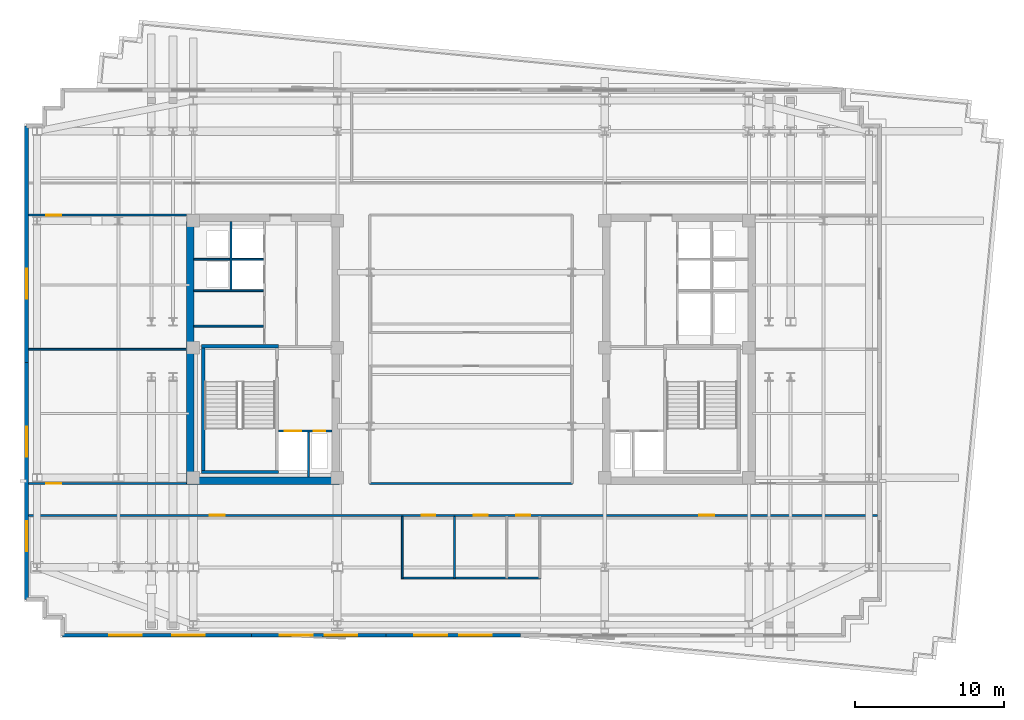
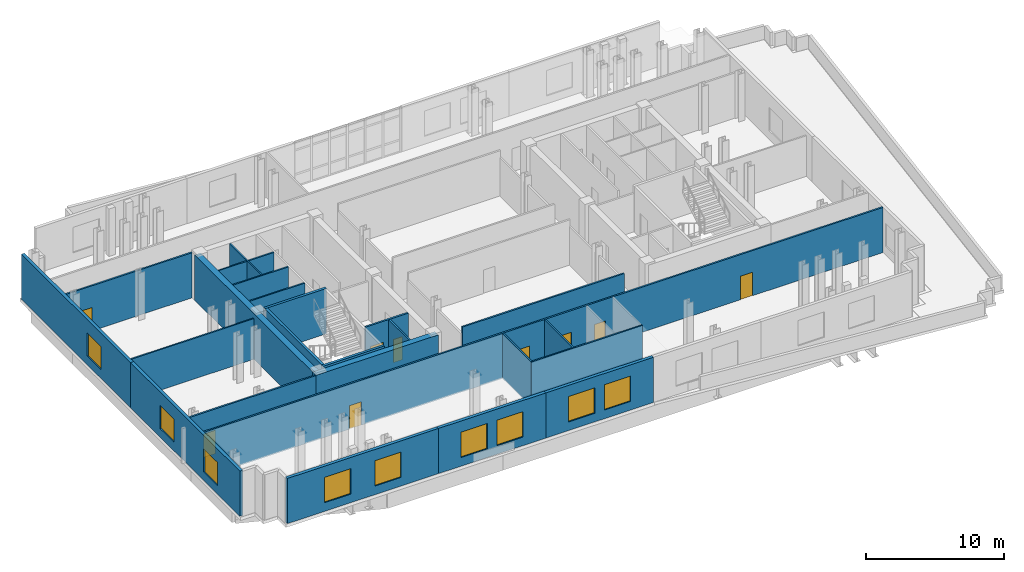
# One storey, part 5 of 11: 25 walls, 9 doors, 9 windows, 18 openings.
"""IFC4 building model written with IfcOpenShell, lengths in metres."""

from ifc_helpers import new_model, si_unit, direction, frame, frame_2d, origin, place, context, subcontext, project, spatial, rectangle, extrude, material, layer, layer_set, type_object, element, fill, save


model = new_model("IFC4")

# Units and contexts
model_context = context("Model", 3, precision=1e-05, world=origin(), true_north=direction((0.0, 1.0)))
body_context = subcontext(model_context, "Body", "Model", "MODEL_VIEW")
ifc_project = project(units=[si_unit("LENGTHUNIT", "METRE"), si_unit("AREAUNIT", "SQUARE_METRE"), si_unit("VOLUMEUNIT", "CUBIC_METRE"), si_unit("PLANEANGLEUNIT", "RADIAN"), si_unit("MASSUNIT", "GRAM", prefix="KILO")], contexts=[model_context])

# Site, building, storey
site_placement = place(None, origin())
site = spatial("IfcSite", under=ifc_project, at=site_placement, CompositionType="ELEMENT")
building_placement = place(site_placement, origin())
building = spatial("IfcBuilding", under=site, at=building_placement, Name="Velakula Bourse", CompositionType="ELEMENT")
storey_placement = place(building_placement, frame((0.0, 0.0, 204.300048828125)))
storey = spatial("IfcBuildingStorey", under=building, at=storey_placement, Name="L55", CompositionType="ELEMENT", Elevation=204.300048828125)

# Walls
ifc_material_1 = material(Name="Concrete M50 (fck 50 MPa)", Category="concrete")
ifc_layer_1 = layer(ifc_material_1, 0.2099609375, Name="Concrete M50 (fck 50 MPa)", Category="concrete")
ifc_layer_set_1 = layer_set([ifc_layer_1], Name="Concrete M50 (fck 50 MPa)")
wall_type_1 = type_object("IfcWallType", Name="WL-CORE-210", PredefinedType="SHEAR", material=ifc_layer_set_1)
wall_1_placement = place(storey_placement, frame((-17.925048828125, -8.10009765625, 0.0), z_axis=(0.0, 0.0, 1.0), x_axis=(0.0, 1.0, 0.0)))
element("IfcWall", 1, at=wall_1_placement, inside=storey, type_object=wall_type_1, Name="L55 Core W Stairwell Shear Wall OUT", PredefinedType="SHEAR", context=body_context, shape_type="SweptSolid", body=[
    extrude(rectangle(XDim=8.2001953125, YDim=0.2099609375, at=frame_2d((4.10009765625, 0.0))), origin(), (0.0, 0.0, 1.0), 4.02001953125),
])
for number, where, z_axis, x_axis, name in (
    (2, (-18.030029296875, -8.205078125, 0.0), (0.0, 0.0, 1.0), (1.0, 0.0, 0.0), "L55 Core W Stairwell Shear Wall S"),
    (3, (-12.889892578125, 0.205078125, 0.0), (0.0, 0.0, 1.0), (-1.0, 0.0, 0.0), "L55 Core W Stairwell Shear Wall N"),
):
    element("IfcWall", number, at=place(storey_placement, frame(where, z_axis=z_axis, x_axis=x_axis)), inside=storey, type_object=wall_type_1, Name=name, PredefinedType="SHEAR", context=body_context, shape_type="SweptSolid", body=[
        extrude(rectangle(XDim=5.14013671875, YDim=0.2099609375, at=frame_2d((2.570068359375, 0.0))), origin(), (0.0, 0.0, 1.0), 4.02001953125),
    ])
ifc_layer_2 = layer(ifc_material_1, 0.5, Name="Concrete M50 (fck 50 MPa)", Category="concrete")
ifc_layer_set_2 = layer_set([ifc_layer_2], Name="Concrete M50 (fck 50 MPa)")
wall_type_2 = type_object("IfcWallType", Name="WL-CORE-500", PredefinedType="SHEAR", material=ifc_layer_set_2)
wall_2_placement = place(storey_placement, frame((-19.050048828125, -8.800048828125, 0.0), z_axis=(0.0, 0.0, 1.0), x_axis=(1.0, 0.0, 0.0)))
element("IfcWall", 4, at=wall_2_placement, inside=storey, type_object=wall_type_2, Name="L55 Core W Shear Wall S", PredefinedType="SHEAR", context=body_context, shape_type="SweptSolid", body=[
    extrude(rectangle(XDim=10.25, YDim=0.5, at=frame_2d((5.125, 0.0))), origin(), (0.0, 0.0, 1.0), 4.02001953125),
])
wall_3_placement = place(storey_placement, frame((-18.800048828125, -8.550048828125, 0.0), z_axis=(0.0, 0.0, 1.0), x_axis=(0.0, 1.0, 0.0)))
element("IfcWall", 5, at=wall_3_placement, inside=storey, type_object=wall_type_2, Name="L55 Core W Shear Wall W", PredefinedType="SHEAR", context=body_context, shape_type="SweptSolid", body=[
    extrude(rectangle(XDim=17.10009765625, YDim=0.5, at=frame_2d((8.550048828125, 0.0))), origin(), (0.0, 0.0, 1.0), 4.02001953125),
])

# Wall, openings, windows
ifc_material_2 = material(Name="Buff kilned clay facing brick masonry", Category="masonry")
ifc_layer_3 = layer(ifc_material_2, 0.260009765625, Name="Buff kilned clay facing brick masonry", Category="masonry")
ifc_layer_set_3 = layer_set([ifc_layer_3], Name="Buff kilned clay facing brick masonry")
wall_type_3 = type_object("IfcWallType", Name="WL-EXT-BRK-260", PredefinedType="STANDARD", material=ifc_layer_set_3)
wall_4_placement = place(storey_placement, frame((-14.699951171875, -19.14990234375, 0.0), z_axis=(0.0, 0.0, 1.0), x_axis=(-1.0, 0.0, 0.0)))
wall_4 = element("IfcWall", 6, at=wall_4_placement, inside=storey, type_object=wall_type_3, Name="L55 S Brick Spandrel Wall B1", PredefinedType="STANDARD", context=body_context, shape_type="SweptSolid", body=[
    extrude(rectangle(XDim=12.650146484375, YDim=0.260009765625, at=frame_2d((6.3251953125, 0.0))), origin(), (0.0, 0.0, 1.0), 4.0),
])
opening_1_placement = place(wall_4_placement, frame((3.11669921875, 0.0, 0.760009765625)))
opening_1 = element("IfcOpeningElement", 7, at=opening_1_placement, cuts=wall_4, Name="Opening W-08", PredefinedType="OPENING", context=body_context, shape_type="SweptSolid", body=[
    extrude(rectangle(XDim=2.199951171875, YDim=2.25, at=frame_2d((1.10009765625, 1.125))), frame((0.0, 0.139892578125, 0.0), z_axis=(0.0, -1.0, 0.0), x_axis=(1.0, 0.0, 0.0)), (0.0, 0.0, 1.0), 0.280029296875),
])
opening_2_placement = place(wall_4_placement, frame((7.333251953125, 0.0, 0.760009765625)))
opening_2 = element("IfcOpeningElement", 8, at=opening_2_placement, cuts=wall_4, Name="Opening W-08", PredefinedType="OPENING", context=body_context, shape_type="SweptSolid", body=[
    extrude(rectangle(XDim=2.199951171875, YDim=2.25, at=frame_2d((1.10009765625, 1.125))), frame((0.0, 0.139892578125, 0.0), z_axis=(0.0, -1.0, 0.0), x_axis=(1.0, 0.0, 0.0)), (0.0, 0.0, 1.0), 0.280029296875),
])
ifc_material_3 = material(Name="Double-glazed solar-control Low-E glass", Category="glass")
window_type_1 = type_object("IfcWindowType", Name="WIN-SL-2200x2500", PartitioningType="DOUBLE_PANEL_VERTICAL", PredefinedType="WINDOW", material=ifc_material_3)
window_1_placement = place(opening_1_placement, origin())
window_1 = element("IfcWindow", 9, at=window_1_placement, inside=storey, type_object=window_type_1, Name="L55 Deep-Set Recessed Window 1", OverallHeight=2.25, OverallWidth=2.199951171875, PartitioningType="DOUBLE_PANEL_VERTICAL", PredefinedType="WINDOW", context=body_context, shape_type="SweptSolid", body=[
    extrude(rectangle(XDim=2.199951171875, YDim=2.25, at=frame_2d((1.10009765625, 1.125))), frame((0.0, 0.030029296875, 0.0), z_axis=(0.0, -1.0, 0.0), x_axis=(1.0, 0.0, 0.0)), (0.0, 0.0, 1.0), 0.06005859375),
])
fill(opening_1, window_1)
window_2_placement = place(opening_2_placement, origin())
window_2 = element("IfcWindow", 10, at=window_2_placement, inside=storey, type_object=window_type_1, Name="L55 Deep-Set Recessed Window 2", OverallHeight=2.25, OverallWidth=2.199951171875, PartitioningType="DOUBLE_PANEL_VERTICAL", PredefinedType="WINDOW", context=body_context, shape_type="SweptSolid", body=[
    extrude(rectangle(XDim=2.199951171875, YDim=2.25, at=frame_2d((1.10009765625, 1.125))), frame((0.0, 0.030029296875, 0.0), z_axis=(0.0, -1.0, 0.0), x_axis=(1.0, 0.0, 0.0)), (0.0, 0.0, 1.0), 0.06005859375),
])
fill(opening_2, window_2)

wall_5_placement = place(storey_placement, frame((-5.699951171875, -19.14990234375, 0.0), z_axis=(0.0, 0.0, 1.0), x_axis=(-1.0, 0.0, 0.0)))
wall_5 = element("IfcWall", 11, at=wall_5_placement, inside=storey, type_object=wall_type_3, Name="L55 S Brick Spandrel Wall B2", PredefinedType="STANDARD", context=body_context, shape_type="SweptSolid", body=[
    extrude(rectangle(XDim=9.0, YDim=0.260009765625, at=frame_2d((4.5, 0.0))), origin(), (0.0, 0.0, 1.0), 4.0),
])
opening_3_placement = place(wall_5_placement, frame((1.89990234375, 0.0, 0.760009765625)))
opening_3 = element("IfcOpeningElement", 12, at=opening_3_placement, cuts=wall_5, Name="Opening W-08", PredefinedType="OPENING", context=body_context, shape_type="SweptSolid", body=[
    extrude(rectangle(XDim=2.199951171875, YDim=2.25, at=frame_2d((1.10009765625, 1.125))), frame((0.0, 0.139892578125, 0.0), z_axis=(0.0, -1.0, 0.0), x_axis=(1.0, 0.0, 0.0)), (0.0, 0.0, 1.0), 0.280029296875),
])
opening_4_placement = place(wall_5_placement, frame((4.89990234375, 0.0, 0.760009765625)))
opening_4 = element("IfcOpeningElement", 13, at=opening_4_placement, cuts=wall_5, Name="Opening W-08", PredefinedType="OPENING", context=body_context, shape_type="SweptSolid", body=[
    extrude(rectangle(XDim=2.199951171875, YDim=2.25, at=frame_2d((1.10009765625, 1.125))), frame((0.0, 0.139892578125, 0.0), z_axis=(0.0, -1.0, 0.0), x_axis=(1.0, 0.0, 0.0)), (0.0, 0.0, 1.0), 0.280029296875),
])
window_3_placement = place(opening_3_placement, origin())
window_3 = element("IfcWindow", 14, at=window_3_placement, inside=storey, type_object=window_type_1, Name="L55 Deep-Set Recessed Window 1", OverallHeight=2.25, OverallWidth=2.199951171875, PartitioningType="DOUBLE_PANEL_VERTICAL", PredefinedType="WINDOW", context=body_context, shape_type="SweptSolid", body=[
    extrude(rectangle(XDim=2.199951171875, YDim=2.25, at=frame_2d((1.10009765625, 1.125))), frame((0.0, 0.030029296875, 0.0), z_axis=(0.0, -1.0, 0.0), x_axis=(1.0, 0.0, 0.0)), (0.0, 0.0, 1.0), 0.06005859375),
])
fill(opening_3, window_3)
window_4_placement = place(opening_4_placement, origin())
window_4 = element("IfcWindow", 15, at=window_4_placement, inside=storey, type_object=window_type_1, Name="L55 Deep-Set Recessed Window 2", OverallHeight=2.25, OverallWidth=2.199951171875, PartitioningType="DOUBLE_PANEL_VERTICAL", PredefinedType="WINDOW", context=body_context, shape_type="SweptSolid", body=[
    extrude(rectangle(XDim=2.199951171875, YDim=2.25, at=frame_2d((1.10009765625, 1.125))), frame((0.0, 0.030029296875, 0.0), z_axis=(0.0, -1.0, 0.0), x_axis=(1.0, 0.0, 0.0)), (0.0, 0.0, 1.0), 0.06005859375),
])
fill(opening_4, window_4)

wall_6_placement = place(storey_placement, frame((3.300048828125, -19.14990234375, 0.0), z_axis=(0.0, 0.0, 1.0), x_axis=(-1.0, 0.0, 0.0)))
wall_6 = element("IfcWall", 16, at=wall_6_placement, inside=storey, type_object=wall_type_3, Name="L55 S Brick Spandrel Wall B3", PredefinedType="STANDARD", context=body_context, shape_type="SweptSolid", body=[
    extrude(rectangle(XDim=9.0, YDim=0.260009765625, at=frame_2d((4.5, 0.0))), origin(), (0.0, 0.0, 1.0), 4.0),
])
opening_5_placement = place(wall_6_placement, frame((1.89990234375, 0.0, 0.760009765625)))
opening_5 = element("IfcOpeningElement", 17, at=opening_5_placement, cuts=wall_6, Name="Opening W-08", PredefinedType="OPENING", context=body_context, shape_type="SweptSolid", body=[
    extrude(rectangle(XDim=2.199951171875, YDim=2.25, at=frame_2d((1.10009765625, 1.125))), frame((0.0, 0.139892578125, 0.0), z_axis=(0.0, -1.0, 0.0), x_axis=(1.0, 0.0, 0.0)), (0.0, 0.0, 1.0), 0.280029296875),
])
opening_6_placement = place(wall_6_placement, frame((4.89990234375, 0.0, 0.760009765625)))
opening_6 = element("IfcOpeningElement", 18, at=opening_6_placement, cuts=wall_6, Name="Opening W-08", PredefinedType="OPENING", context=body_context, shape_type="SweptSolid", body=[
    extrude(rectangle(XDim=2.199951171875, YDim=2.25, at=frame_2d((1.10009765625, 1.125))), frame((0.0, 0.139892578125, 0.0), z_axis=(0.0, -1.0, 0.0), x_axis=(1.0, 0.0, 0.0)), (0.0, 0.0, 1.0), 0.280029296875),
])
window_5_placement = place(opening_5_placement, origin())
window_5 = element("IfcWindow", 19, at=window_5_placement, inside=storey, type_object=window_type_1, Name="L55 Deep-Set Recessed Window 1", OverallHeight=2.25, OverallWidth=2.199951171875, PartitioningType="DOUBLE_PANEL_VERTICAL", PredefinedType="WINDOW", context=body_context, shape_type="SweptSolid", body=[
    extrude(rectangle(XDim=2.199951171875, YDim=2.25, at=frame_2d((1.10009765625, 1.125))), frame((0.0, 0.030029296875, 0.0), z_axis=(0.0, -1.0, 0.0), x_axis=(1.0, 0.0, 0.0)), (0.0, 0.0, 1.0), 0.06005859375),
])
fill(opening_5, window_5)
window_6_placement = place(opening_6_placement, origin())
window_6 = element("IfcWindow", 20, at=window_6_placement, inside=storey, type_object=window_type_1, Name="L55 Deep-Set Recessed Window 2", OverallHeight=2.25, OverallWidth=2.199951171875, PartitioningType="DOUBLE_PANEL_VERTICAL", PredefinedType="WINDOW", context=body_context, shape_type="SweptSolid", body=[
    extrude(rectangle(XDim=2.199951171875, YDim=2.25, at=frame_2d((1.10009765625, 1.125))), frame((0.0, 0.030029296875, 0.0), z_axis=(0.0, -1.0, 0.0), x_axis=(1.0, 0.0, 0.0)), (0.0, 0.0, 1.0), 0.06005859375),
])
fill(opening_6, window_6)

wall_7_placement = place(storey_placement, frame((-29.75, -16.75, 0.0), z_axis=(0.0, 0.0, 1.0), x_axis=(0.0, 1.0, 0.0)))
wall_7 = element("IfcWall", 21, at=wall_7_placement, inside=storey, type_object=wall_type_3, Name="L55 W Brick End Wall W1", PredefinedType="STANDARD", context=body_context, shape_type="SweptSolid", body=[
    extrude(rectangle(XDim=15.85009765625, YDim=0.260009765625, at=frame_2d((7.925048828125, 0.0))), origin(), (0.0, 0.0, 1.0), 4.0),
])
opening_7_placement = place(wall_7_placement, frame((3.2333984375, 0.0, 0.760009765625)))
opening_7 = element("IfcOpeningElement", 22, at=opening_7_placement, cuts=wall_7, Name="Opening W-05", PredefinedType="OPENING", context=body_context, shape_type="SweptSolid", body=[
    extrude(rectangle(XDim=2.0, YDim=2.050048828125, at=frame_2d((1.0, 1.02490234375))), frame((0.0, 0.139892578125, 0.0), z_axis=(0.0, -1.0, 0.0), x_axis=(1.0, 0.0, 0.0)), (0.0, 0.0, 1.0), 0.280029296875),
])
opening_8_placement = place(wall_7_placement, frame((9.566650390625, 0.0, 0.760009765625)))
opening_8 = element("IfcOpeningElement", 23, at=opening_8_placement, cuts=wall_7, Name="Opening W-05", PredefinedType="OPENING", context=body_context, shape_type="SweptSolid", body=[
    extrude(rectangle(XDim=2.0, YDim=2.050048828125, at=frame_2d((1.0, 1.02490234375))), frame((0.0, 0.139892578125, 0.0), z_axis=(0.0, -1.0, 0.0), x_axis=(1.0, 0.0, 0.0)), (0.0, 0.0, 1.0), 0.280029296875),
])
window_type_2 = type_object("IfcWindowType", Name="WIN-TWR-2000x2200", PartitioningType="DOUBLE_PANEL_VERTICAL", PredefinedType="WINDOW", material=ifc_material_3)
window_7_placement = place(opening_7_placement, origin())
window_7 = element("IfcWindow", 24, at=window_7_placement, inside=storey, type_object=window_type_2, Name="L55 Deep-Set Recessed Window 1", OverallHeight=2.050048828125, OverallWidth=2.0, PartitioningType="DOUBLE_PANEL_VERTICAL", PredefinedType="WINDOW", context=body_context, shape_type="SweptSolid", body=[
    extrude(rectangle(XDim=2.0, YDim=2.050048828125, at=frame_2d((1.0, 1.02490234375))), frame((0.0, 0.030029296875, 0.0), z_axis=(0.0, -1.0, 0.0), x_axis=(1.0, 0.0, 0.0)), (0.0, 0.0, 1.0), 0.06005859375),
])
fill(opening_7, window_7)
window_8_placement = place(opening_8_placement, origin())
window_8 = element("IfcWindow", 25, at=window_8_placement, inside=storey, type_object=window_type_2, Name="L55 Deep-Set Recessed Window 2", OverallHeight=2.050048828125, OverallWidth=2.0, PartitioningType="DOUBLE_PANEL_VERTICAL", PredefinedType="WINDOW", context=body_context, shape_type="SweptSolid", body=[
    extrude(rectangle(XDim=2.0, YDim=2.050048828125, at=frame_2d((1.0, 1.02490234375))), frame((0.0, 0.030029296875, 0.0), z_axis=(0.0, -1.0, 0.0), x_axis=(1.0, 0.0, 0.0)), (0.0, 0.0, 1.0), 0.06005859375),
])
fill(opening_8, window_8)

# Wall, opening, window
wall_8_placement = place(storey_placement, frame((-29.75, -0.89990234375, 0.0), z_axis=(0.0, 0.0, 1.0), x_axis=(0.0, 1.0, 0.0)))
wall_8 = element("IfcWall", 26, at=wall_8_placement, inside=storey, type_object=wall_type_3, Name="L55 W Brick End Wall W2", PredefinedType="STANDARD", context=body_context, shape_type="SweptSolid", body=[
    extrude(rectangle(XDim=15.849853515625, YDim=0.260009765625, at=frame_2d((7.9248046875, 0.0))), origin(), (0.0, 0.0, 1.0), 4.0),
])
opening_9_placement = place(wall_8_placement, frame((4.283203125, 0.0, 0.760009765625)))
opening_9 = element("IfcOpeningElement", 27, at=opening_9_placement, cuts=wall_8, Name="Opening W-05", PredefinedType="OPENING", context=body_context, shape_type="SweptSolid", body=[
    extrude(rectangle(XDim=2.0, YDim=2.050048828125, at=frame_2d((1.0, 1.02490234375))), frame((0.0, 0.139892578125, 0.0), z_axis=(0.0, -1.0, 0.0), x_axis=(1.0, 0.0, 0.0)), (0.0, 0.0, 1.0), 0.280029296875),
])
window_9_placement = place(opening_9_placement, origin())
window_9 = element("IfcWindow", 28, at=window_9_placement, inside=storey, type_object=window_type_2, Name="L55 Deep-Set Recessed Window 1", OverallHeight=2.050048828125, OverallWidth=2.0, PartitioningType="DOUBLE_PANEL_VERTICAL", PredefinedType="WINDOW", context=body_context, shape_type="SweptSolid", body=[
    extrude(rectangle(XDim=2.0, YDim=2.050048828125, at=frame_2d((1.0, 1.02490234375))), frame((0.0, 0.030029296875, 0.0), z_axis=(0.0, -1.0, 0.0), x_axis=(1.0, 0.0, 0.0)), (0.0, 0.0, 1.0), 0.06005859375),
])
fill(opening_9, window_9)

# Walls
ifc_material_4 = material(Name="Fire-rated double-layer gypsum drywall partition", Category="gypsum")
ifc_layer_4 = layer(ifc_material_4, 0.1201171875, Name="Fire-rated double-layer gypsum drywall partition", Category="gypsum")
ifc_layer_set_4 = layer_set([ifc_layer_4], Name="Fire-rated double-layer gypsum drywall partition")
wall_type_4 = type_object("IfcWallType", Name="WL-PART-120", PredefinedType="STANDARD", material=ifc_layer_set_4)
wall_9_placement = place(storey_placement, frame((-18.550048828125, 3.919921875, 0.0), z_axis=(0.0, 0.0, 1.0), x_axis=(1.0, 0.0, 0.0)))
element("IfcWall", 29, at=wall_9_placement, inside=storey, type_object=wall_type_4, Name="L55 Interior Partition WL-CRW-L55-HI-S", PredefinedType="STANDARD", context=body_context, shape_type="SweptSolid", body=[
    extrude(rectangle(XDim=4.650146484375, YDim=0.1201171875, at=frame_2d((2.3251953125, 0.0))), origin(), (0.0, 0.0, 1.0), 4.0),
])
wall_10_placement = place(storey_placement, frame((-18.550048828125, 6.030029296875, 0.0), z_axis=(0.0, 0.0, 1.0), x_axis=(1.0, 0.0, 0.0)))
element("IfcWall", 30, at=wall_10_placement, inside=storey, type_object=wall_type_4, Name="L55 Interior Partition WL-CRW-L55-RIS-MID", PredefinedType="STANDARD", context=body_context, shape_type="SweptSolid", body=[
    extrude(rectangle(XDim=2.400146484375, YDim=0.1201171875, at=frame_2d((1.2001953125, 0.0))), origin(), (0.0, 0.0, 1.0), 4.0),
])
wall_11_placement = place(storey_placement, frame((-16.074951171875, 3.97998046875, 0.0), z_axis=(0.0, 0.0, 1.0), x_axis=(0.0, 1.0, 0.0)))
element("IfcWall", 31, at=wall_11_placement, inside=storey, type_object=wall_type_4, Name="L55 Interior Partition WL-CRW-L55-RIS-F", PredefinedType="STANDARD", context=body_context, shape_type="SweptSolid", body=[
    extrude(rectangle(XDim=4.570068359375, YDim=0.1201171875, at=frame_2d((2.28515625, 0.0))), origin(), (0.0, 0.0, 1.0), 4.0),
])
wall_12_placement = place(storey_placement, frame((-16.0, 6.030029296875, 0.0), z_axis=(0.0, 0.0, 1.0), x_axis=(1.0, 0.0, 0.0)))
element("IfcWall", 32, at=wall_12_placement, inside=storey, type_object=wall_type_4, Name="L55 Interior Partition WL-CRW-L55-HI-DIV", PredefinedType="STANDARD", context=body_context, shape_type="SweptSolid", body=[
    extrude(rectangle(XDim=2.10009765625, YDim=0.1201171875, at=frame_2d((1.050048828125, 0.0))), origin(), (0.0, 0.0, 1.0), 4.0),
])
wall_13_placement = place(storey_placement, frame((-18.550048828125, 1.550048828125, 0.0), z_axis=(0.0, 0.0, 1.0), x_axis=(1.0, 0.0, 0.0)))
element("IfcWall", 33, at=wall_13_placement, inside=storey, type_object=wall_type_4, Name="L55 Interior Partition WL-CRW-L55-K1", PredefinedType="STANDARD", context=body_context, shape_type="SweptSolid", body=[
    extrude(rectangle(XDim=4.650146484375, YDim=0.1201171875, at=frame_2d((2.3251953125, 0.0))), origin(), (0.0, 0.0, 1.0), 4.0),
])
wall_14_placement = place(storey_placement, frame((-4.659912109375, -15.320068359375, 0.0), z_axis=(0.0, 0.0, 1.0), x_axis=(1.0, 0.0, 0.0)))
element("IfcWall", 34, at=wall_14_placement, inside=storey, type_object=wall_type_4, Name="L55 Interior Partition WL-WC-L55-BACK", PredefinedType="STANDARD", context=body_context, shape_type="SweptSolid", body=[
    extrude(rectangle(XDim=9.31982421875, YDim=0.1201171875, at=frame_2d((4.659912109375, 0.0))), origin(), (0.0, 0.0, 1.0), 4.0),
])
for number, where, z_axis, x_axis, name in (
    (35, (-4.60009765625, -15.320068359375, 0.0), (0.0, 0.0, 1.0), (0.0, 1.0, 0.0), "L55 Interior Partition WL-WC-L55-V1"),
    (36, (-1.10009765625, -15.320068359375, 0.0), (0.0, 0.0, 1.0), (0.0, 1.0, 0.0), "L55 Interior Partition WL-WC-L55-V2"),
):
    element("IfcWall", number, at=place(storey_placement, frame(where, z_axis=z_axis, x_axis=x_axis)), inside=storey, type_object=wall_type_4, Name=name, PredefinedType="STANDARD", context=body_context, shape_type="SweptSolid", body=[
        extrude(rectangle(XDim=4.130126953125, YDim=0.1201171875, at=frame_2d((2.06494140625, 0.0))), origin(), (0.0, 0.0, 1.0), 4.0),
    ])
wall_15_placement = place(storey_placement, frame((-29.6201171875, 0.0, 0.0), z_axis=(0.0, 0.0, 1.0), x_axis=(1.0, 0.0, 0.0)))
element("IfcWall", 37, at=wall_15_placement, inside=storey, type_object=wall_type_4, Name="L55 Interior Partition WL-INT-L55-W-H", PredefinedType="STANDARD", context=body_context, shape_type="SweptSolid", body=[
    extrude(rectangle(XDim=10.570068359375, YDim=0.1201171875, at=frame_2d((5.28515625, 0.0))), origin(), (0.0, 0.0, 1.0), 3.594970703125),
])

# Wall, openings, doors
ifc_layer_5 = layer(ifc_material_4, 0.139892578125, Name="Fire-rated double-layer gypsum drywall partition", Category="gypsum")
ifc_layer_set_5 = layer_set([ifc_layer_5], Name="Fire-rated double-layer gypsum drywall partition")
wall_type_5 = type_object("IfcWallType", Name="WL-PART-140", PredefinedType="STANDARD", material=ifc_layer_set_5)
wall_16_placement = place(storey_placement, frame((-29.6201171875, -11.1201171875, 0.0), z_axis=(0.0, 0.0, 1.0), x_axis=(1.0, 0.0, 0.0)))
wall_16 = element("IfcWall", 38, at=wall_16_placement, inside=storey, type_object=wall_type_5, Name="L55 Interior Partition WL-INT-L55-S-CORR", PredefinedType="STANDARD", context=body_context, shape_type="SweptSolid", body=[
    extrude(rectangle(XDim=56.840087890625, YDim=0.139892578125, at=frame_2d((28.419921875, 0.0))), origin(), (0.0, 0.0, 1.0), 4.0),
])
opening_10_placement = place(wall_16_placement, frame((26.31005859375, 0.0, 0.0)))
opening_10 = element("IfcOpeningElement", 39, at=opening_10_placement, cuts=wall_16, Name="Opening D-WT1", PredefinedType="OPENING", context=body_context, shape_type="SweptSolid", body=[
    extrude(rectangle(XDim=0.919921875, YDim=2.080078125, at=frame_2d((0.4599609375, 1.0400390625))), frame((0.0, 0.079833984375, 0.0), z_axis=(0.0, -1.0, 0.0), x_axis=(1.0, 0.0, 0.0)), (0.0, 0.0, 1.0), 0.159912109375),
])
opening_11_placement = place(wall_16_placement, frame((29.81005859375, 0.0, 0.0)))
opening_11 = element("IfcOpeningElement", 40, at=opening_11_placement, cuts=wall_16, Name="Opening D-WT1", PredefinedType="OPENING", context=body_context, shape_type="SweptSolid", body=[
    extrude(rectangle(XDim=0.919921875, YDim=2.080078125, at=frame_2d((0.4599609375, 1.0400390625))), frame((0.0, 0.079833984375, 0.0), z_axis=(0.0, -1.0, 0.0), x_axis=(1.0, 0.0, 0.0)), (0.0, 0.0, 1.0), 0.159912109375),
])
opening_12_placement = place(wall_16_placement, frame((32.659912109375, 0.0, 0.0)))
opening_12 = element("IfcOpeningElement", 41, at=opening_12_placement, cuts=wall_16, Name="Opening D-WC1", PredefinedType="OPENING", context=body_context, shape_type="SweptSolid", body=[
    extrude(rectangle(XDim=0.919921875, YDim=2.080078125, at=frame_2d((0.4599609375, 1.0400390625))), frame((0.0, 0.079833984375, 0.0), z_axis=(0.0, -1.0, 0.0), x_axis=(1.0, 0.0, 0.0)), (0.0, 0.0, 1.0), 0.159912109375),
])
opening_13_placement = place(wall_16_placement, frame((12.135986328125, 0.0, 0.0)))
opening_13 = element("IfcOpeningElement", 42, at=opening_13_placement, cuts=wall_16, Name="Opening D-OF1", PredefinedType="OPENING", context=body_context, shape_type="SweptSolid", body=[
    extrude(rectangle(XDim=1.0, YDim=2.080078125, at=frame_2d((0.5, 1.0400390625))), frame((0.0, 0.079833984375, 0.0), z_axis=(0.0, -1.0, 0.0), x_axis=(1.0, 0.0, 0.0)), (0.0, 0.0, 1.0), 0.159912109375),
])
opening_14_placement = place(wall_16_placement, frame((44.904052734375, 0.0, 0.0)))
opening_14 = element("IfcOpeningElement", 43, at=opening_14_placement, cuts=wall_16, Name="Opening D-OF1", PredefinedType="OPENING", context=body_context, shape_type="SweptSolid", body=[
    extrude(rectangle(XDim=1.0, YDim=2.080078125, at=frame_2d((0.5, 1.0400390625))), frame((0.0, 0.079833984375, 0.0), z_axis=(0.0, -1.0, 0.0), x_axis=(1.0, 0.0, 0.0)), (0.0, 0.0, 1.0), 0.159912109375),
])
ifc_material_5 = material(Name="Fire-rated hardwood flush architectural door", Category="wood")
door_type_1 = type_object("IfcDoorType", Name="DR-OFF-1000", OperationType="NOTDEFINED", PredefinedType="DOOR", material=ifc_material_5)
door_1_placement = place(opening_13_placement, origin())
door_1 = element("IfcDoor", 44, at=door_1_placement, inside=storey, type_object=door_type_1, Name="L55 Economic Reference Library Door", OperationType="SINGLE_SWING_RIGHT", OverallHeight=2.080078125, OverallWidth=1.0, PredefinedType="DOOR", context=body_context, shape_type="SweptSolid", body=[
    extrude(rectangle(XDim=1.0, YDim=2.080078125, at=frame_2d((0.5, 1.0400390625))), frame((0.0, 0.02490234375, 0.0), z_axis=(0.0, -1.0, 0.0), x_axis=(1.0, 0.0, 0.0)), (0.0, 0.0, 1.0), 0.050048828125),
])
fill(opening_13, door_1)
door_2_placement = place(opening_14_placement, origin())
door_2 = element("IfcDoor", 45, at=door_2_placement, inside=storey, type_object=door_type_1, Name="L55 General Counsel Office Door", OperationType="SINGLE_SWING_LEFT", OverallHeight=2.080078125, OverallWidth=1.0, PredefinedType="DOOR", context=body_context, shape_type="SweptSolid", body=[
    extrude(rectangle(XDim=1.0, YDim=2.080078125, at=frame_2d((0.5, 1.0400390625))), frame((0.0, 0.02490234375, 0.0), z_axis=(0.0, -1.0, 0.0), x_axis=(1.0, 0.0, 0.0)), (0.0, 0.0, 1.0), 0.050048828125),
])
fill(opening_14, door_2)
door_type_2 = type_object("IfcDoorType", Name="DR-WC-950", OperationType="NOTDEFINED", PredefinedType="DOOR", material=ifc_material_5)
door_3_placement = place(opening_10_placement, origin())
door_3 = element("IfcDoor", 46, at=door_3_placement, inside=storey, type_object=door_type_2, Name="L55 Male Staff Toilet Door", OperationType="SINGLE_SWING_LEFT", OverallHeight=2.080078125, OverallWidth=0.919921875, PredefinedType="DOOR", context=body_context, shape_type="SweptSolid", body=[
    extrude(rectangle(XDim=0.919921875, YDim=2.080078125, at=frame_2d((0.4599609375, 1.0400390625))), frame((0.0, 0.02490234375, 0.0), z_axis=(0.0, -1.0, 0.0), x_axis=(1.0, 0.0, 0.0)), (0.0, 0.0, 1.0), 0.050048828125),
])
fill(opening_10, door_3)
door_4_placement = place(opening_11_placement, origin())
door_4 = element("IfcDoor", 47, at=door_4_placement, inside=storey, type_object=door_type_2, Name="L55 Female Staff Toilet Door", OperationType="SINGLE_SWING_RIGHT", OverallHeight=2.080078125, OverallWidth=0.919921875, PredefinedType="DOOR", context=body_context, shape_type="SweptSolid", body=[
    extrude(rectangle(XDim=0.919921875, YDim=2.080078125, at=frame_2d((0.4599609375, 1.0400390625))), frame((0.0, 0.02490234375, 0.0), z_axis=(0.0, -1.0, 0.0), x_axis=(1.0, 0.0, 0.0)), (0.0, 0.0, 1.0), 0.050048828125),
])
fill(opening_11, door_4)
door_5_placement = place(opening_12_placement, origin())
door_5 = element("IfcDoor", 48, at=door_5_placement, inside=storey, type_object=door_type_2, Name="L55 Accessible WC Door", OperationType="SINGLE_SWING_LEFT", OverallHeight=2.080078125, OverallWidth=0.919921875, PredefinedType="DOOR", context=body_context, shape_type="SweptSolid", body=[
    extrude(rectangle(XDim=0.919921875, YDim=2.080078125, at=frame_2d((0.4599609375, 1.0400390625))), frame((0.0, 0.02490234375, 0.0), z_axis=(0.0, -1.0, 0.0), x_axis=(1.0, 0.0, 0.0)), (0.0, 0.0, 1.0), 0.050048828125),
])
fill(opening_12, door_5)

# Wall, opening, door
wall_17_placement = place(storey_placement, frame((-29.6201171875, 8.97998046875, 0.0), z_axis=(0.0, 0.0, 1.0), x_axis=(1.0, 0.0, 0.0)))
wall_17 = element("IfcWall", 49, at=wall_17_placement, inside=storey, type_object=wall_type_5, Name="L55 Interior Partition WL-INT-L55-W-NC", PredefinedType="STANDARD", context=body_context, shape_type="SweptSolid", body=[
    extrude(rectangle(XDim=10.570068359375, YDim=0.139892578125, at=frame_2d((5.28515625, 0.0))), origin(), (0.0, 0.0, 1.0), 4.0),
])
opening_15_placement = place(wall_17_placement, frame((1.191162109375, 0.0, 0.0)))
opening_15 = element("IfcOpeningElement", 50, at=opening_15_placement, cuts=wall_17, Name="Opening D-OF1", PredefinedType="OPENING", context=body_context, shape_type="SweptSolid", body=[
    extrude(rectangle(XDim=1.0, YDim=2.080078125, at=frame_2d((0.5, 1.0400390625))), frame((0.0, 0.079833984375, 0.0), z_axis=(0.0, -1.0, 0.0), x_axis=(1.0, 0.0, 0.0)), (0.0, 0.0, 1.0), 0.159912109375),
])
door_6_placement = place(opening_15_placement, origin())
door_6 = element("IfcDoor", 51, at=door_6_placement, inside=storey, type_object=door_type_1, Name="L55 Margin Control Office Door", OperationType="SINGLE_SWING_RIGHT", OverallHeight=2.080078125, OverallWidth=1.0, PredefinedType="DOOR", context=body_context, shape_type="SweptSolid", body=[
    extrude(rectangle(XDim=1.0, YDim=2.080078125, at=frame_2d((0.5, 1.0400390625))), frame((0.0, 0.02490234375, 0.0), z_axis=(0.0, -1.0, 0.0), x_axis=(1.0, 0.0, 0.0)), (0.0, 0.0, 1.0), 0.050048828125),
])
fill(opening_15, door_6)

wall_18_placement = place(storey_placement, frame((-29.6201171875, -8.97998046875, 0.0), z_axis=(0.0, 0.0, 1.0), x_axis=(1.0, 0.0, 0.0)))
wall_18 = element("IfcWall", 52, at=wall_18_placement, inside=storey, type_object=wall_type_5, Name="L55 Interior Partition WL-INT-L55-W-SC", PredefinedType="STANDARD", context=body_context, shape_type="SweptSolid", body=[
    extrude(rectangle(XDim=10.570068359375, YDim=0.139892578125, at=frame_2d((5.28515625, 0.0))), origin(), (0.0, 0.0, 1.0), 4.0),
])
opening_16_placement = place(wall_18_placement, frame((1.191162109375, 0.0, 0.0)))
opening_16 = element("IfcOpeningElement", 53, at=opening_16_placement, cuts=wall_18, Name="Opening D-OF1", PredefinedType="OPENING", context=body_context, shape_type="SweptSolid", body=[
    extrude(rectangle(XDim=1.0, YDim=2.080078125, at=frame_2d((0.5, 1.0400390625))), frame((0.0, 0.079833984375, 0.0), z_axis=(0.0, -1.0, 0.0), x_axis=(1.0, 0.0, 0.0)), (0.0, 0.0, 1.0), 0.159912109375),
])
door_7_placement = place(opening_16_placement, origin())
door_7 = element("IfcDoor", 54, at=door_7_placement, inside=storey, type_object=door_type_1, Name="L55 Quantitative Research Workspace Door", OperationType="SINGLE_SWING_LEFT", OverallHeight=2.080078125, OverallWidth=1.0, PredefinedType="DOOR", context=body_context, shape_type="SweptSolid", body=[
    extrude(rectangle(XDim=1.0, YDim=2.080078125, at=frame_2d((0.5, 1.0400390625))), frame((0.0, 0.02490234375, 0.0), z_axis=(0.0, -1.0, 0.0), x_axis=(1.0, 0.0, 0.0)), (0.0, 0.0, 1.0), 0.050048828125),
])
fill(opening_16, door_7)

# Wall
wall_19_placement = place(storey_placement, frame((-6.780029296875, -8.97998046875, 0.0), z_axis=(0.0, 0.0, 1.0), x_axis=(1.0, 0.0, 0.0)))
element("IfcWall", 55, at=wall_19_placement, inside=storey, type_object=wall_type_5, Name="L55 Interior Partition WL-INT-L55-MS-OUT", PredefinedType="STANDARD", context=body_context, shape_type="SweptSolid", body=[
    extrude(rectangle(XDim=13.56005859375, YDim=0.139892578125, at=frame_2d((6.780029296875, 0.0))), origin(), (0.0, 0.0, 1.0), 4.0),
])

# Wall, openings, doors
ifc_material_6 = material(Name="Autoclaved aerated concrete blockwork masonry", Category="masonry")
ifc_layer_6 = layer(ifc_material_6, 0.14990234375, Name="Autoclaved aerated concrete blockwork masonry", Category="masonry")
ifc_layer_set_6 = layer_set([ifc_layer_6], Name="Autoclaved aerated concrete blockwork masonry")
wall_type_6 = type_object("IfcWallType", Name="WL-SHAFT-150", PredefinedType="STANDARD", material=ifc_layer_set_6)
wall_20_placement = place(storey_placement, frame((-12.89501953125, -5.47509765625, 0.0), z_axis=(0.0, 0.0, 1.0), x_axis=(1.0, 0.0, 0.0)))
wall_20 = element("IfcWall", 56, at=wall_20_placement, inside=storey, type_object=wall_type_6, Name="L55 Interior Partition WL-CRW-L55-FFL-N", PredefinedType="STANDARD", context=body_context, shape_type="SweptSolid", body=[
    extrude(rectangle(XDim=3.594970703125, YDim=0.14990234375, at=frame_2d((1.79736328125, 0.0))), origin(), (0.0, 0.0, 1.0), 4.0),
])
opening_17_placement = place(wall_20_placement, frame((0.419921875, 0.0, 0.0)))
opening_17 = element("IfcOpeningElement", 57, at=opening_17_placement, cuts=wall_20, Name="Opening LD-FFL-1", PredefinedType="OPENING", context=body_context, shape_type="SweptSolid", body=[
    extrude(rectangle(XDim=1.10009765625, YDim=2.14990234375, at=frame_2d((0.550048828125, 1.074951171875))), frame((0.0, 0.0849609375, 0.0), z_axis=(0.0, -1.0, 0.0), x_axis=(1.0, 0.0, 0.0)), (0.0, 0.0, 1.0), 0.169921875),
])
opening_18_placement = place(wall_20_placement, frame((2.3701171875, 0.0, 0.0)))
opening_18 = element("IfcOpeningElement", 58, at=opening_18_placement, cuts=wall_20, Name="Opening D-RS1", PredefinedType="OPENING", context=body_context, shape_type="SweptSolid", body=[
    extrude(rectangle(XDim=0.75, YDim=2.050048828125, at=frame_2d((0.375, 1.02490234375))), frame((0.0, 0.0849609375, 0.0), z_axis=(0.0, -1.0, 0.0), x_axis=(1.0, 0.0, 0.0)), (0.0, 0.0, 1.0), 0.169921875),
])
ifc_material_7 = material(Name="Galvanised painted hollow steel fire door", Category="steel")
door_type_3 = type_object("IfcDoorType", Name="DR-RISER-800", OperationType="NOTDEFINED", PredefinedType="DOOR", material=ifc_material_7)
door_8_placement = place(opening_18_placement, origin())
door_8 = element("IfcDoor", 59, at=door_8_placement, inside=storey, type_object=door_type_3, Name="L55 Fire Riser Access Door", OperationType="SINGLE_SWING_LEFT", OverallHeight=2.050048828125, OverallWidth=0.75, PredefinedType="DOOR", context=body_context, shape_type="SweptSolid", body=[
    extrude(rectangle(XDim=0.75, YDim=2.050048828125, at=frame_2d((0.375, 1.02490234375))), frame((0.0, 0.02490234375, 0.0), z_axis=(0.0, -1.0, 0.0), x_axis=(1.0, 0.0, 0.0)), (0.0, 0.0, 1.0), 0.050048828125),
])
fill(opening_18, door_8)
ifc_material_8 = material(Name="Brushed grade 316 stainless steel", Category="steel")
door_type_4 = type_object("IfcDoorType", Name="DR-SLIDE-FFL-1100", OperationType="DOUBLE_DOOR_SLIDING", PredefinedType="DOOR", material=ifc_material_8)
door_9_placement = place(opening_17_placement, origin())
door_9 = element("IfcDoor", 60, at=door_9_placement, inside=storey, type_object=door_type_4, Name="L55 Firefighting Lift FFL-1 Sliding Landing Door", OperationType="DOUBLE_DOOR_SLIDING", OverallHeight=2.14990234375, OverallWidth=1.10009765625, PredefinedType="DOOR", context=body_context, shape_type="SweptSolid", body=[
    extrude(rectangle(XDim=1.10009765625, YDim=2.14990234375, at=frame_2d((0.550048828125, 1.074951171875))), frame((0.0, 0.02490234375, 0.0), z_axis=(0.0, -1.0, 0.0), x_axis=(1.0, 0.0, 0.0)), (0.0, 0.0, 1.0), 0.050048828125),
])
fill(opening_17, door_9)

# Wall
wall_21_placement = place(storey_placement, frame((-10.875, -8.550048828125, 0.0), z_axis=(0.0, 0.0, 1.0), x_axis=(0.0, 1.0, 0.0)))
element("IfcWall", 61, at=wall_21_placement, inside=storey, type_object=wall_type_6, Name="L55 Interior Partition WL-CRW-L55-FR-DIV", PredefinedType="STANDARD", context=body_context, shape_type="SweptSolid", body=[
    extrude(rectangle(XDim=3.0, YDim=0.14990234375, at=frame_2d((1.5, 0.0))), origin(), (0.0, 0.0, 1.0), 4.0),
])

save(model, "model.ifc")
